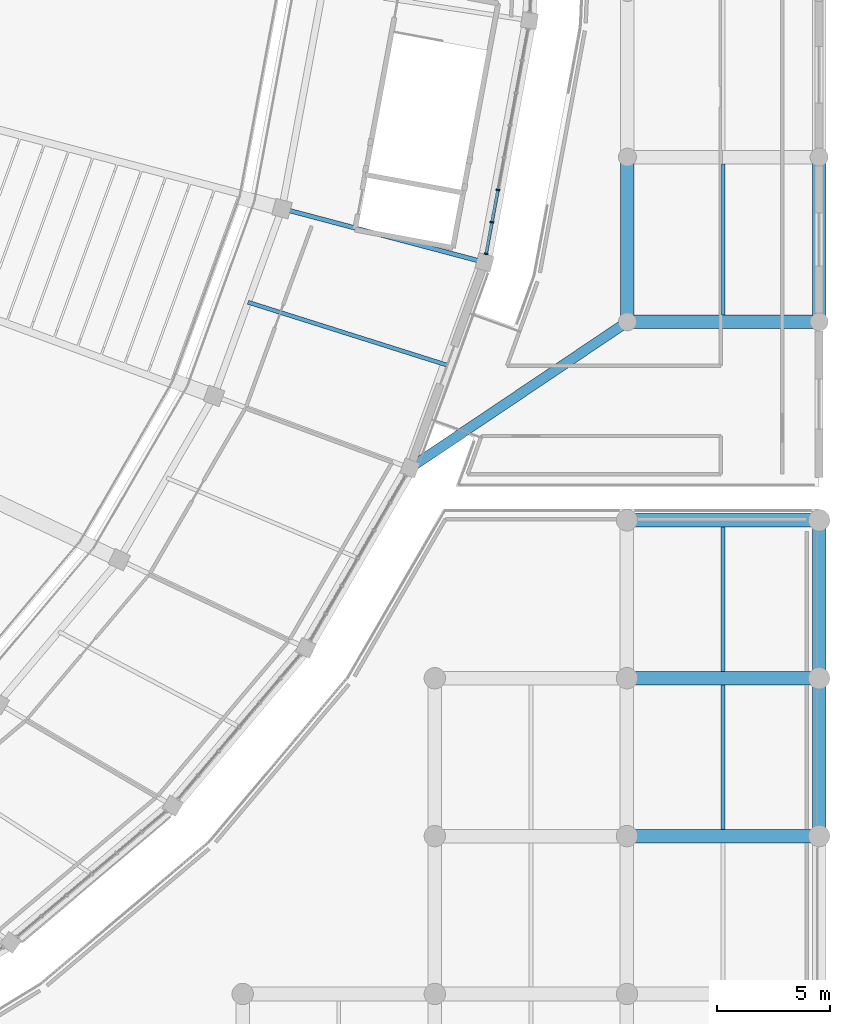
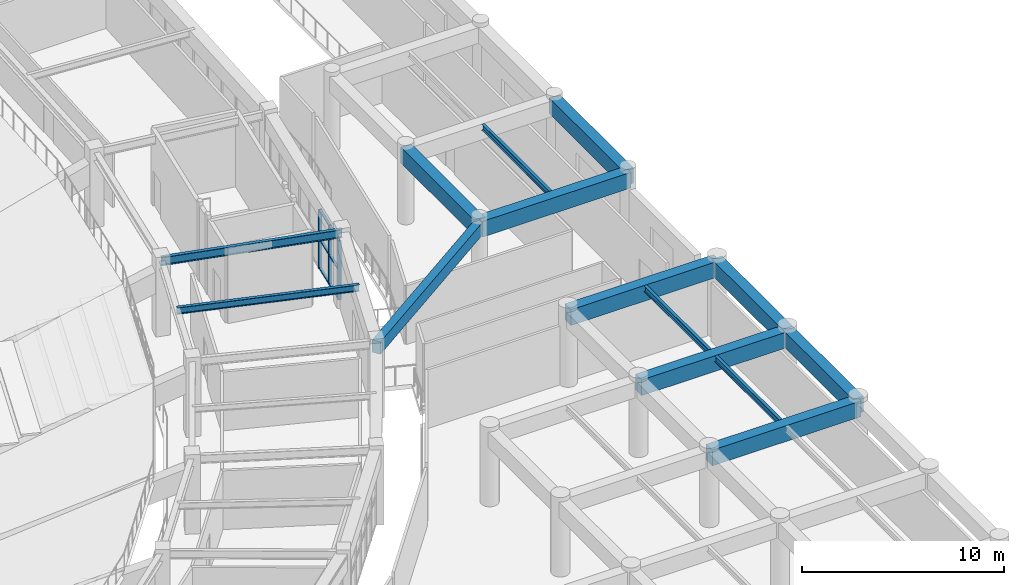
# One storey, part 43 of 137: 14 beams, 9 members, 1 element without a shape of its own.
"""IFC4 building model written with IfcOpenShell, lengths in metres."""

from ifc_helpers import new_model, si_unit, direction, frame, origin, origin_2d, place, context, subcontext, project, spatial, rectangle, i_section, extrude, material, layer, layer_set, material_profile, profile_set, type_object, element, aggregate, save


model = new_model("IFC4")

# Units and contexts
model_context = context("Model", 3, precision=1e-05, world=origin(), true_north=direction((0.0, 1.0)))
body_context = subcontext(model_context, "Body", "Model", "MODEL_VIEW")
ifc_project = project(units=[si_unit("LENGTHUNIT", "METRE"), si_unit("AREAUNIT", "SQUARE_METRE"), si_unit("VOLUMEUNIT", "CUBIC_METRE"), si_unit("PLANEANGLEUNIT", "RADIAN"), si_unit("MASSUNIT", "GRAM", prefix="KILO")], contexts=[model_context])

# Site, building, storey
site_placement = place(None, origin())
site = spatial("IfcSite", under=ifc_project, at=site_placement, CompositionType="ELEMENT")
building_placement = place(site_placement, origin())
building = spatial("IfcBuilding", under=site, at=building_placement, Name="Mphavela Belvedere Stadium", CompositionType="ELEMENT")
storey_placement = place(building_placement, frame((0.0, 0.0, 19.199951171875)))
storey = spatial("IfcBuildingStorey", under=building, at=storey_placement, Name="L04", CompositionType="ELEMENT", Elevation=19.199951171875)

# Beams
ifc_material_1 = material(Name="Concrete C40/50", Category="concrete")
ifc_material_profile_1 = material_profile(ifc_material_1, rectangle(XDim=0.60009765625, YDim=0.949951171875, at=origin_2d()), Name="RC 600x950")
ifc_profile_set_1 = profile_set([ifc_material_profile_1], Name="Concrete C40/50")
beam_type_1 = type_object("IfcBeamType", Name="BM-ENTABLATURE-950", PredefinedType="SPANDREL", material=ifc_profile_set_1)
for number, where, z_axis, x_axis, name in (
    (1, (221.48095703125, 35.0, 4.06494140625), (1.0, 0.0, 0.0), (0.0, 1.0, 0.0), "South Axial Triumphal Peristyle Portico entablature beam X L04 27-6"),
    (2, (221.48095703125, 42.0, 4.06494140625), (1.0, 0.0, 0.0), (0.0, 1.0, 0.0), "South Axial Triumphal Peristyle Portico entablature beam X L04 27-7"),
    (3, (221.48095703125, 49.0, 4.06494140625), (1.0, 0.0, 0.0), (0.0, 1.0, 0.0), "South Axial Triumphal Peristyle Portico entablature beam X L04 27-8"),
):
    element("IfcBeam", number, at=place(storey_placement, frame(where, z_axis=z_axis, x_axis=x_axis)), inside=storey, type_object=beam_type_1, Name=name, PredefinedType="SPANDREL", context=body_context, shape_type="SweptSolid", body=[
        extrude(rectangle(XDim=0.60009765625, YDim=0.949951171875, at=origin_2d()), origin(), (0.0, 0.0, 1.0), 8.51904296875),
    ])
for number, where, z_axis, x_axis, name in (
    (4, (230.0, 35.0, 4.06494140625), (0.0, 1.0, 0.0), (-1.0, 0.0, 0.0), "South Axial Triumphal Peristyle Portico entablature beam Y L04 28-6"),
    (5, (230.0, 42.0, 4.06494140625), (0.0, 1.0, 0.0), (-1.0, 0.0, 0.0), "South Axial Triumphal Peristyle Portico entablature beam Y L04 28-7"),
):
    element("IfcBeam", number, at=place(storey_placement, frame(where, z_axis=z_axis, x_axis=x_axis)), inside=storey, type_object=beam_type_1, Name=name, PredefinedType="SPANDREL", context=body_context, shape_type="SweptSolid", body=[
        extrude(rectangle(XDim=0.60009765625, YDim=0.949951171875, at=origin_2d()), origin(), (0.0, 0.0, 1.0), 7.0),
    ])
beam_1_placement = place(storey_placement, frame((221.5, 57.800048828125, 4.06494140625), z_axis=(1.0, 0.0, 0.0), x_axis=(0.0, 1.0, 0.0)))
element("IfcBeam", 6, at=beam_1_placement, inside=storey, type_object=beam_type_1, Name="East Planted Eaves Peristyle Colonnade entablature beam X L04 8-2", PredefinedType="SPANDREL", context=body_context, shape_type="SweptSolid", body=[
    extrude(rectangle(XDim=0.60009765625, YDim=0.949951171875, at=origin_2d()), origin(), (0.0, 0.0, 1.0), 8.5),
])
for number, where, z_axis, x_axis, name in (
    (7, (221.5, 57.800048828125, 4.06494140625), (0.0, 1.0, 0.0), (-1.0, 0.0, 0.0), "East Planted Eaves Peristyle Colonnade entablature beam Y L04 8-2"),
    (8, (230.0, 57.800048828125, 4.06494140625), (0.0, 1.0, 0.0), (-1.0, 0.0, 0.0), "East Planted Eaves Peristyle Colonnade entablature beam Y L04 9-2"),
):
    element("IfcBeam", number, at=place(storey_placement, frame(where, z_axis=z_axis, x_axis=x_axis)), inside=storey, type_object=beam_type_1, Name=name, PredefinedType="SPANDREL", context=body_context, shape_type="SweptSolid", body=[
        extrude(rectangle(XDim=0.60009765625, YDim=0.949951171875, at=origin_2d()), origin(), (0.0, 0.0, 1.0), 7.300048828125),
    ])
ifc_material_2 = material(Name="Steel S355", Category="steel")
ifc_material_profile_2 = material_profile(ifc_material_2, i_section(OverallWidth=0.169921875, OverallDepth=0.360107421875, WebThickness=0.008056640625, FlangeThickness=0.0126953125, at=origin_2d()), Name="IPE 360")
ifc_profile_set_2 = profile_set([ifc_material_profile_2], Name="Steel S355")
beam_type_2 = type_object("IfcBeamType", Name="BM-JOIST-IPE360", PredefinedType="JOIST", material=ifc_profile_set_2)
for number, where, z_axis, x_axis, name in (
    (9, (225.740478515625, 35.300048828125, 4.360107421875), (0.0, 1.0, 0.0), (-1.0, 0.0, 0.0), "South Axial Triumphal Peristyle Portico secondary joist L04 27-6"),
    (10, (225.740478515625, 42.300048828125, 4.360107421875), (0.0, 1.0, 0.0), (-1.0, 0.0, 0.0), "South Axial Triumphal Peristyle Portico secondary joist L04 27-7"),
):
    element("IfcBeam", number, at=place(storey_placement, frame(where, z_axis=z_axis, x_axis=x_axis)), inside=storey, type_object=beam_type_2, Name=name, PredefinedType="JOIST", context=body_context, shape_type="SweptSolid", body=[
        extrude(i_section(OverallWidth=0.169921875, OverallDepth=0.360107421875, WebThickness=0.008056640625, FlangeThickness=0.0126953125, at=origin_2d()), origin(), (0.0, 0.0, 1.0), 6.39990234375),
    ])
beam_2_placement = place(storey_placement, frame((225.75, 58.10009765625, 4.360107421875), z_axis=(0.0, 1.0, 0.0), x_axis=(-1.0, 0.0, 0.0)))
element("IfcBeam", 11, at=beam_2_placement, inside=storey, type_object=beam_type_2, Name="East Planted Eaves Peristyle Colonnade secondary joist L04 8-2", PredefinedType="JOIST", context=body_context, shape_type="SweptSolid", body=[
    extrude(i_section(OverallWidth=0.169921875, OverallDepth=0.360107421875, WebThickness=0.008056640625, FlangeThickness=0.0126953125, at=origin_2d()), origin(), (0.0, 0.0, 1.0), 6.699951171875),
])
ifc_material_3 = material(Name="Steel S355", Category="steel")
ifc_material_profile_3 = material_profile(ifc_material_3, i_section(OverallWidth=0.179931640625, OverallDepth=0.39990234375, WebThickness=0.008544921875, FlangeThickness=0.013427734375, at=origin_2d()), Name="IPE 400")
ifc_profile_set_3 = profile_set([ifc_material_profile_3], Name="Steel S355")
beam_type_3 = type_object("IfcBeamType", Name="BM-JOIST-IPE400", PredefinedType="JOIST", material=ifc_profile_set_3)
beam_3_placement = place(storey_placement, frame((204.681640625, 58.6669921875, 4.35009765625), z_axis=(0.953544002003, -0.301253773826, 0.0), x_axis=(0.301253773826, 0.953544002003, 0.0)))
element("IfcBeam", 12, at=beam_3_placement, inside=storey, type_object=beam_type_3, Name="Concourse floor joist L04-46", PredefinedType="JOIST", context=body_context, shape_type="SweptSolid", body=[
    extrude(i_section(OverallWidth=0.179931640625, OverallDepth=0.39990234375, WebThickness=0.008544921875, FlangeThickness=0.013427734375, at=origin_2d()), origin(), (0.0, 0.0, 1.0), 9.259033203125),
])
ifc_material_4 = material(Name="Concrete C40/50", Category="concrete")
ifc_material_profile_4 = material_profile(ifc_material_4, rectangle(XDim=0.449951171875, YDim=0.75, at=origin_2d()), Name="RC 450x750")
ifc_profile_set_4 = profile_set([ifc_material_profile_4], Name="Concrete C40/50")
beam_type_4 = type_object("IfcBeamType", Name="BM-RC450x750", PredefinedType="BEAM", material=ifc_profile_set_4)
beam_4_placement = place(storey_placement, frame((221.5, 57.800048828125, 4.06494140625), z_axis=(-0.82993028647, -0.557867116436, 0.0), x_axis=(0.557867116436, -0.82993028647, 0.0)))
element("IfcBeam", 13, at=beam_4_placement, inside=storey, type_object=beam_type_4, Name="East Planted Eaves Peristyle Colonnade bowl link girder L04-5", PredefinedType="BEAM", context=body_context, shape_type="SweptSolid", body=[
    extrude(rectangle(XDim=0.449951171875, YDim=0.75, at=origin_2d()), origin(), (0.0, 0.0, 1.0), 11.6201171875),
])
ifc_material_5 = material(Name="Steel S355", Category="steel")
ifc_material_profile_5 = material_profile(ifc_material_5, i_section(OverallWidth=0.199951171875, OverallDepth=0.5, WebThickness=0.01025390625, FlangeThickness=0.01611328125, at=origin_2d()), Name="IPE 500")
ifc_profile_set_5 = profile_set([ifc_material_profile_5], Name="Steel S355")
beam_type_5 = type_object("IfcBeamType", Name="BM-STEEL-IPE500", PredefinedType="BEAM", material=ifc_profile_set_5)
beam_5_placement = place(storey_placement, frame((206.1875, 62.818115234375, 4.300048828125), z_axis=(0.966589609073, -0.256328944196, 0.0), x_axis=(0.256328944196, 0.966589609073, 0.0)))
element("IfcBeam", 14, at=beam_5_placement, inside=storey, type_object=beam_type_5, Name="Radial concourse girder L04 R3R4-47", PredefinedType="BEAM", context=body_context, shape_type="SweptSolid", body=[
    extrude(i_section(OverallWidth=0.199951171875, OverallDepth=0.5, WebThickness=0.01025390625, FlangeThickness=0.01611328125, at=origin_2d()), origin(), (0.0, 0.0, 1.0), 9.287353515625),
])

# Curtain wall, members
ifc_material_6 = material(Name="Anodised bronze unitised curtain wall framing")
ifc_layer = layer(ifc_material_6, 0.18994140625)
ifc_layer_set = layer_set([ifc_layer], Name="Anodised bronze unitised curtain wall framing")
curtain_wall_type = type_object("IfcCurtainWallType", Name="CW-UNIT-03", PredefinedType="USERDEFINED", material=ifc_layer_set)
curtain_wall_placement = place(storey_placement, origin())
curtain_wall = element("IfcCurtainWall", 15, at=curtain_wall_placement, inside=storey, type_object=curtain_wall_type, Name="Belvedere colonnade curtain wall L04-47", ObjectType="UNITISED CURTAIN WALL", PredefinedType="USERDEFINED")
ifc_material_7 = material(Name="Anodised bronze extruded aluminium", Category="aluminium")
ifc_material_profile_6 = material_profile(ifc_material_7, rectangle(XDim=0.179931640625, YDim=0.06494140625, at=origin_2d()), Name="CW-MUL 180x65")
ifc_profile_set_6 = profile_set([ifc_material_profile_6], Name="Anodised bronze extruded aluminium")
member_type_1 = type_object("IfcMemberType", Name="CWM-180x65", PredefinedType="MULLION", material=ifc_profile_set_6)
member_1_placement = place(storey_placement, frame((215.234130859375, 60.8115234375, 0.0), z_axis=(0.0, 0.0, 1.0), x_axis=(-0.98318393569, 0.182618040183, 0.0)))
member_1 = element("IfcMember", 16, at=member_1_placement, type_object=member_type_1, Name="CW-03 mullion 1", PredefinedType="MULLION", context=body_context, shape_type="SweptSolid", body=[
    extrude(rectangle(XDim=0.179931640625, YDim=0.06494140625, at=origin_2d()), origin(), (0.0, 0.0, 1.0), 3.570068359375),
])
member_2_placement = place(storey_placement, frame((215.494384765625, 62.212890625, 0.0), z_axis=(0.0, 0.0, 1.0), x_axis=(-0.98318393569, 0.182618040183, 0.0)))
member_2 = element("IfcMember", 17, at=member_2_placement, type_object=member_type_1, Name="CW-03 mullion 2", PredefinedType="MULLION", context=body_context, shape_type="SweptSolid", body=[
    extrude(rectangle(XDim=0.179931640625, YDim=0.06494140625, at=origin_2d()), origin(), (0.0, 0.0, 1.0), 3.570068359375),
])
member_3_placement = place(storey_placement, frame((215.7607421875, 63.646240234375, 0.0), z_axis=(0.0, 0.0, 1.0), x_axis=(-0.98318393569, 0.182618040183, 0.0)))
member_3 = element("IfcMember", 18, at=member_3_placement, type_object=member_type_1, Name="CW-03 mullion 3", PredefinedType="MULLION", context=body_context, shape_type="SweptSolid", body=[
    extrude(rectangle(XDim=0.179931640625, YDim=0.06494140625, at=origin_2d()), origin(), (0.0, 0.0, 1.0), 3.570068359375),
])
ifc_material_8 = material(Name="Anodised bronze extruded aluminium", Category="aluminium")
ifc_material_profile_7 = material_profile(ifc_material_8, rectangle(XDim=0.139892578125, YDim=0.06005859375, at=origin_2d()), Name="CW-TRN 140x60")
ifc_profile_set_7 = profile_set([ifc_material_profile_7], Name="Anodised bronze extruded aluminium")
member_type_2 = type_object("IfcMemberType", Name="CWT-140x60", PredefinedType="USERDEFINED", material=ifc_profile_set_7)
member_4_placement = place(storey_placement, frame((215.239990234375, 60.843505859375, 0.030029296875), z_axis=(0.182706201603, 0.983167556369, 0.0), x_axis=(-0.983167556369, 0.182706201603, 0.0)))
member_4 = element("IfcMember", 19, at=member_4_placement, type_object=member_type_2, Name="CW-03 transom 1.1", ObjectType="TRANSOM", PredefinedType="USERDEFINED", context=body_context, shape_type="SweptSolid", body=[
    extrude(rectangle(XDim=0.139892578125, YDim=0.06005859375, at=origin_2d()), origin(), (0.0, 0.0, 1.0), 1.3603515625),
])
member_5_placement = place(storey_placement, frame((215.239990234375, 60.843505859375, 1.78515625), z_axis=(0.182706201603, 0.983167556369, 0.0), x_axis=(-0.983167556369, 0.182706201603, 0.0)))
member_5 = element("IfcMember", 20, at=member_5_placement, type_object=member_type_2, Name="CW-03 transom 1.2", ObjectType="TRANSOM", PredefinedType="USERDEFINED", context=body_context, shape_type="SweptSolid", body=[
    extrude(rectangle(XDim=0.139892578125, YDim=0.06005859375, at=origin_2d()), origin(), (0.0, 0.0, 1.0), 1.3603515625),
])
member_6_placement = place(storey_placement, frame((215.239990234375, 60.843505859375, 3.5400390625), z_axis=(0.182706201603, 0.983167556369, 0.0), x_axis=(-0.983167556369, 0.182706201603, 0.0)))
member_6 = element("IfcMember", 21, at=member_6_placement, type_object=member_type_2, Name="CW-03 transom 1.3", ObjectType="TRANSOM", PredefinedType="USERDEFINED", context=body_context, shape_type="SweptSolid", body=[
    extrude(rectangle(XDim=0.139892578125, YDim=0.06005859375, at=origin_2d()), origin(), (0.0, 0.0, 1.0), 1.3603515625),
])
member_7_placement = place(storey_placement, frame((215.500244140625, 62.244873046875, 0.030029296875), z_axis=(0.1826478673, 0.98317839509, 0.0), x_axis=(-0.98317839509, 0.1826478673, 0.0)))
member_7 = element("IfcMember", 22, at=member_7_placement, type_object=member_type_2, Name="CW-03 transom 2.1", ObjectType="TRANSOM", PredefinedType="USERDEFINED", context=body_context, shape_type="SweptSolid", body=[
    extrude(rectangle(XDim=0.139892578125, YDim=0.06005859375, at=origin_2d()), origin(), (0.0, 0.0, 1.0), 1.392822265625),
])
member_8_placement = place(storey_placement, frame((215.500244140625, 62.244873046875, 1.78515625), z_axis=(0.1826478673, 0.98317839509, 0.0), x_axis=(-0.98317839509, 0.1826478673, 0.0)))
member_8 = element("IfcMember", 23, at=member_8_placement, type_object=member_type_2, Name="CW-03 transom 2.2", ObjectType="TRANSOM", PredefinedType="USERDEFINED", context=body_context, shape_type="SweptSolid", body=[
    extrude(rectangle(XDim=0.139892578125, YDim=0.06005859375, at=origin_2d()), origin(), (0.0, 0.0, 1.0), 1.392822265625),
])
member_9_placement = place(storey_placement, frame((215.500244140625, 62.244873046875, 3.5400390625), z_axis=(0.1826478673, 0.98317839509, 0.0), x_axis=(-0.98317839509, 0.1826478673, 0.0)))
member_9 = element("IfcMember", 24, at=member_9_placement, type_object=member_type_2, Name="CW-03 transom 2.3", ObjectType="TRANSOM", PredefinedType="USERDEFINED", context=body_context, shape_type="SweptSolid", body=[
    extrude(rectangle(XDim=0.139892578125, YDim=0.06005859375, at=origin_2d()), origin(), (0.0, 0.0, 1.0), 1.392822265625),
])
aggregate(curtain_wall, [member_1, member_2, member_3, member_4, member_5, member_6, member_7, member_8, member_9])

save(model, "model.ifc")
